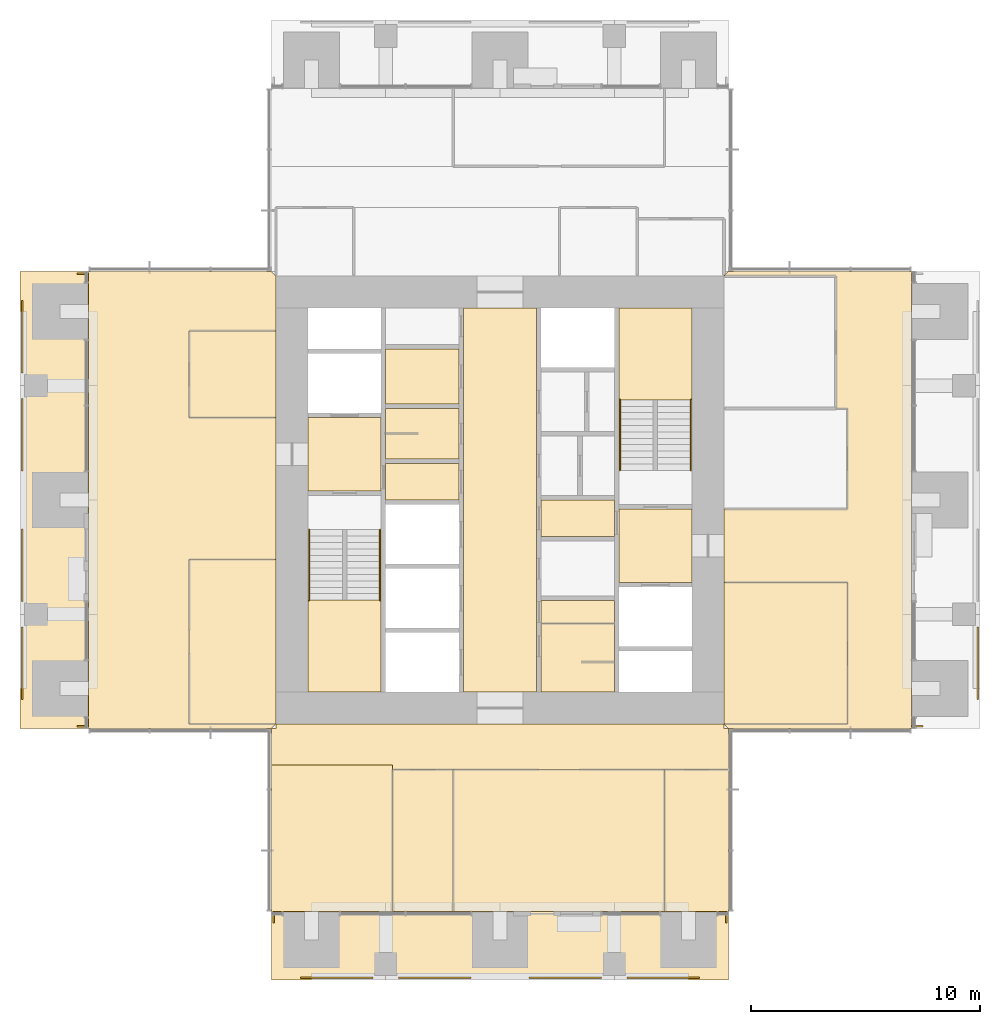
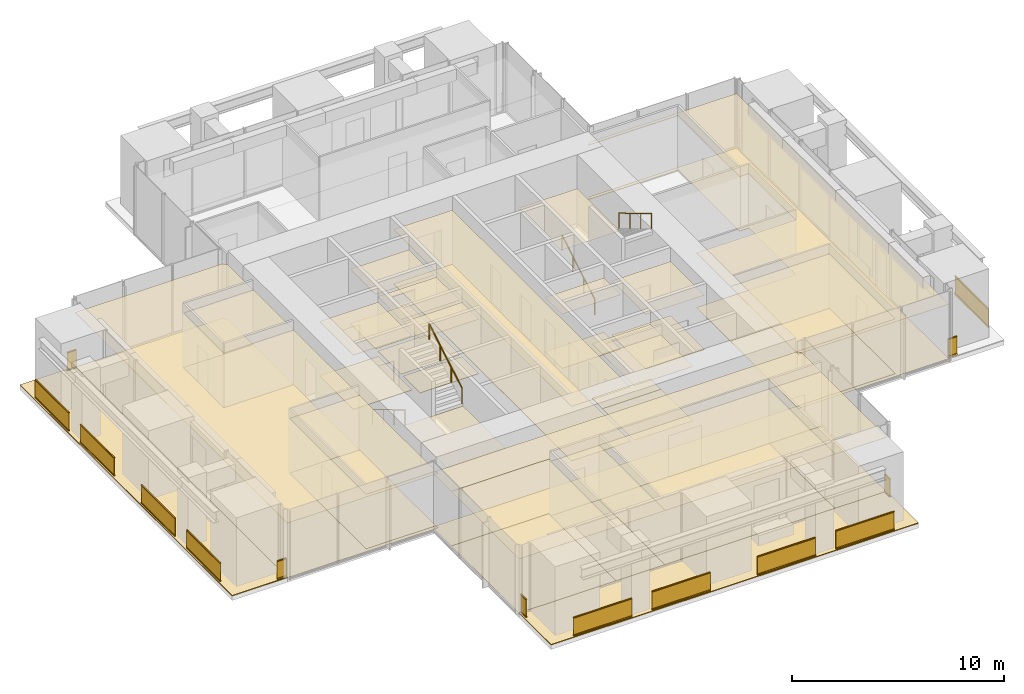
# One storey, part 15 of 17: 42 coverings, 18 railings.
"""IFC4 building model written with IfcOpenShell, lengths in metres."""

from ifc_helpers import new_model, si_unit, direction, frame, origin, origin_2d, place, context, subcontext, project, spatial, polyline, rectangle, circle, outline, extrude, material, layer, layer_set, type_object, element, save


model = new_model("IFC4")

# Units and contexts
model_context = context("Model", 3, precision=1e-05, world=origin(), true_north=direction((0.0, 1.0)))
body_context = subcontext(model_context, "Body", "Model", "MODEL_VIEW")
ifc_project = project(units=[si_unit("LENGTHUNIT", "METRE"), si_unit("AREAUNIT", "SQUARE_METRE"), si_unit("VOLUMEUNIT", "CUBIC_METRE"), si_unit("PLANEANGLEUNIT", "RADIAN"), si_unit("MASSUNIT", "GRAM", prefix="KILO")], contexts=[model_context])

# Site, building, storey
site_placement = place(None, origin())
site = spatial("IfcSite", under=ifc_project, at=site_placement, CompositionType="ELEMENT")
building_placement = place(site_placement, origin())
building = spatial("IfcBuilding", under=site, at=building_placement, Name="Svetlomir Tower", CompositionType="ELEMENT")
storey_placement = place(building_placement, frame((0.0, 0.0, 170.5)))
storey = spatial("IfcBuildingStorey", under=building, at=storey_placement, Name="L40", CompositionType="ELEMENT", Elevation=170.5)

# Railings
ifc_material_1 = material(Name="Bronze anodised aluminium and laminated glass", Category="aluminium")
railing_type_1 = type_object("IfcRailingType", Name="BALCONY GUARD GR1 1100", PredefinedType="GUARDRAIL", material=ifc_material_1)
for number, where, name in (
    (1, (12.27490234375, 0.10009765625, 0.0), "Loggia guard S L40 bay 1"),
    (2, (16.550048828125, 0.10009765625, 0.0), "Loggia guard S L40 bay 2"),
    (3, (22.27490234375, 0.10009765625, 0.0), "Loggia guard S L40 bay 3"),
    (4, (26.550048828125, 0.10009765625, 0.0), "Loggia guard S L40 bay 4"),
):
    element("IfcRailing", number, at=place(storey_placement, frame(where)), inside=storey, type_object=railing_type_1, Name=name, PredefinedType="GUARDRAIL", context=body_context, shape_type="SweptSolid", body=[
        extrude(rectangle(XDim=0.06005859375, YDim=0.10009765625, at=origin_2d()), frame((0.0, 0.0, 0.050048828125), z_axis=(1.0, 0.0, 0.0), x_axis=(0.0, 1.0, 0.0)), (0.0, 0.0, 1.0), 3.175048828125),
        extrude(rectangle(XDim=0.021484375, YDim=0.960205078125, at=origin_2d()), frame((0.0, 0.0, 0.580078125), z_axis=(1.0, 0.0, 0.0), x_axis=(0.0, 1.0, 0.0)), (0.0, 0.0, 1.0), 3.175048828125),
        extrude(rectangle(XDim=0.06005859375, YDim=0.0400390625, at=origin_2d()), frame((0.0, 0.0, 1.080078125), z_axis=(1.0, 0.0, 0.0), x_axis=(0.0, 1.0, 0.0)), (0.0, 0.0, 1.0), 3.175048828125),
    ])
for number, where, name in (
    (5, (11.10009765625, 2.5, 0.0), "Loggia guard S L40 end 1"),
    (6, (30.89990234375, 2.5, 0.0), "Loggia guard S L40 end 2"),
):
    element("IfcRailing", number, at=place(storey_placement, frame(where)), inside=storey, type_object=railing_type_1, Name=name, PredefinedType="GUARDRAIL", context=body_context, shape_type="SweptSolid", body=[
        extrude(rectangle(XDim=0.06005859375, YDim=0.10009765625, at=origin_2d()), frame((0.0, 0.0, 0.050048828125), z_axis=(0.0, 1.0, 0.0), x_axis=(-1.0, 0.0, 0.0)), (0.0, 0.0, 1.0), 0.5),
        extrude(rectangle(XDim=0.021484375, YDim=0.960205078125, at=origin_2d()), frame((0.0, 0.0, 0.580078125), z_axis=(0.0, 1.0, 0.0), x_axis=(-1.0, 0.0, 0.0)), (0.0, 0.0, 1.0), 0.5),
        extrude(rectangle(XDim=0.06005859375, YDim=0.0400390625, at=origin_2d()), frame((0.0, 0.0, 1.080078125), z_axis=(0.0, 1.0, 0.0), x_axis=(-1.0, 0.0, 0.0)), (0.0, 0.0, 1.0), 0.5),
    ])
railing_1_placement = place(storey_placement, frame((41.89990234375, 12.27490234375, 0.0)))
element("IfcRailing", 7, at=railing_1_placement, inside=storey, type_object=railing_type_1, Name="Loggia guard E L40 bay 1", PredefinedType="GUARDRAIL", context=body_context, shape_type="SweptSolid", body=[
    extrude(rectangle(XDim=0.06005859375, YDim=0.10009765625, at=origin_2d()), frame((0.0, 0.0, 0.050048828125), z_axis=(0.0, 1.0, 0.0), x_axis=(-1.0, 0.0, 0.0)), (0.0, 0.0, 1.0), 3.175048828125),
    extrude(rectangle(XDim=0.021484375, YDim=0.960205078125, at=origin_2d()), frame((0.0, 0.0, 0.580078125), z_axis=(0.0, 1.0, 0.0), x_axis=(-1.0, 0.0, 0.0)), (0.0, 0.0, 1.0), 3.175048828125),
    extrude(rectangle(XDim=0.06005859375, YDim=0.0400390625, at=origin_2d()), frame((0.0, 0.0, 1.080078125), z_axis=(0.0, 1.0, 0.0), x_axis=(-1.0, 0.0, 0.0)), (0.0, 0.0, 1.0), 3.175048828125),
])
railing_2_placement = place(storey_placement, frame((39.5, 11.10009765625, 0.0)))
element("IfcRailing", 8, at=railing_2_placement, inside=storey, type_object=railing_type_1, Name="Loggia guard E L40 end 1", PredefinedType="GUARDRAIL", context=body_context, shape_type="SweptSolid", body=[
    extrude(rectangle(XDim=0.06005859375, YDim=0.10009765625, at=origin_2d()), frame((0.0, 0.0, 0.050048828125), z_axis=(-1.0, 0.0, 0.0), x_axis=(0.0, -1.0, 0.0)), (0.0, 0.0, 1.0), 0.5),
    extrude(rectangle(XDim=0.021484375, YDim=0.960205078125, at=origin_2d()), frame((0.0, 0.0, 0.580078125), z_axis=(-1.0, 0.0, 0.0), x_axis=(0.0, -1.0, 0.0)), (0.0, 0.0, 1.0), 0.5),
    extrude(rectangle(XDim=0.06005859375, YDim=0.0400390625, at=origin_2d()), frame((0.0, 0.0, 1.080078125), z_axis=(-1.0, 0.0, 0.0), x_axis=(0.0, -1.0, 0.0)), (0.0, 0.0, 1.0), 0.5),
])
for number, where, name in (
    (9, (0.10009765625, 12.27490234375, 0.0), "Loggia guard W L40 bay 1"),
    (10, (0.10009765625, 16.550048828125, 0.0), "Loggia guard W L40 bay 2"),
    (11, (0.10009765625, 22.27490234375, 0.0), "Loggia guard W L40 bay 3"),
    (12, (0.10009765625, 26.550048828125, 0.0), "Loggia guard W L40 bay 4"),
):
    element("IfcRailing", number, at=place(storey_placement, frame(where)), inside=storey, type_object=railing_type_1, Name=name, PredefinedType="GUARDRAIL", context=body_context, shape_type="SweptSolid", body=[
        extrude(rectangle(XDim=0.06005859375, YDim=0.10009765625, at=origin_2d()), frame((0.0, 0.0, 0.050048828125), z_axis=(0.0, 1.0, 0.0), x_axis=(-1.0, 0.0, 0.0)), (0.0, 0.0, 1.0), 3.175048828125),
        extrude(rectangle(XDim=0.021484375, YDim=0.960205078125, at=origin_2d()), frame((0.0, 0.0, 0.580078125), z_axis=(0.0, 1.0, 0.0), x_axis=(-1.0, 0.0, 0.0)), (0.0, 0.0, 1.0), 3.175048828125),
        extrude(rectangle(XDim=0.06005859375, YDim=0.0400390625, at=origin_2d()), frame((0.0, 0.0, 1.080078125), z_axis=(0.0, 1.0, 0.0), x_axis=(-1.0, 0.0, 0.0)), (0.0, 0.0, 1.0), 3.175048828125),
    ])
for number, where, name in (
    (13, (2.5, 11.10009765625, 0.0), "Loggia guard W L40 end 1"),
    (14, (2.5, 30.89990234375, 0.0), "Loggia guard W L40 end 2"),
):
    element("IfcRailing", number, at=place(storey_placement, frame(where)), inside=storey, type_object=railing_type_1, Name=name, PredefinedType="GUARDRAIL", context=body_context, shape_type="SweptSolid", body=[
        extrude(rectangle(XDim=0.06005859375, YDim=0.10009765625, at=origin_2d()), frame((0.0, 0.0, 0.050048828125), z_axis=(1.0, 0.0, 0.0), x_axis=(0.0, 1.0, 0.0)), (0.0, 0.0, 1.0), 0.5),
        extrude(rectangle(XDim=0.021484375, YDim=0.960205078125, at=origin_2d()), frame((0.0, 0.0, 0.580078125), z_axis=(1.0, 0.0, 0.0), x_axis=(0.0, 1.0, 0.0)), (0.0, 0.0, 1.0), 0.5),
        extrude(rectangle(XDim=0.06005859375, YDim=0.0400390625, at=origin_2d()), frame((0.0, 0.0, 1.080078125), z_axis=(1.0, 0.0, 0.0), x_axis=(0.0, 1.0, 0.0)), (0.0, 0.0, 1.0), 0.5),
    ])

# Coverings
ifc_material_2 = material(Name="Granite paving slabs on pedestals", Category="masonry")
ifc_layer_1 = layer(ifc_material_2, 0.0400390625)
ifc_layer_set_1 = layer_set([ifc_layer_1], Name="Granite paving slabs on pedestals")
covering_type_1 = type_object("IfcCoveringType", Name="BALCONY PAVING 40", PredefinedType="USERDEFINED", material=ifc_layer_set_1)
covering_1_placement = place(storey_placement, origin())
element("IfcCovering", 15, at=covering_1_placement, inside=storey, type_object=covering_type_1, Name="Loggia paving S L40", ObjectType="BALCONY PAVING", PredefinedType="USERDEFINED", context=body_context, shape_type="SweptSolid", body=[
    extrude(outline(polyline([(11.0, 0.0), (31.0, 0.0), (31.0, 3.0), (11.0, 3.0), (11.0, 0.0)])), origin(), (0.0, 0.0, 1.0), 0.0400390625),
])
covering_2_placement = place(storey_placement, origin())
element("IfcCovering", 16, at=covering_2_placement, inside=storey, type_object=covering_type_1, Name="Loggia paving W L40", ObjectType="BALCONY PAVING", PredefinedType="USERDEFINED", context=body_context, shape_type="SweptSolid", body=[
    extrude(outline(polyline([(0.0, 11.0), (3.0, 11.0), (3.0, 31.0), (0.0, 31.0), (0.0, 11.0)])), origin(), (0.0, 0.0, 1.0), 0.0400390625),
])
ifc_material_3 = material(Name="Carpet tile", Category="textile")
ifc_layer_2 = layer(ifc_material_3, 0.010009765625)
ifc_layer_set_2 = layer_set([ifc_layer_2], Name="Carpet tile")
covering_type_2 = type_object("IfcCoveringType", Name="CARPET TILE FLOOR 10", PredefinedType="FLOORING", material=ifc_layer_set_2)
covering_3_placement = place(storey_placement, origin())
element("IfcCovering", 17, at=covering_3_placement, inside=storey, type_object=covering_type_2, Name="Floor finish L40-18", PredefinedType="FLOORING", context=body_context, shape_type="SweptSolid", body=[
    extrude(outline(polyline([(16.300048828125, 3.0), (18.949951171875, 3.0), (18.949951171875, 9.199951171875), (16.300048828125, 9.199951171875), (16.300048828125, 3.0)])), origin(), (0.0, 0.0, 1.0), 0.010009765625),
])
covering_4_placement = place(storey_placement, origin())
element("IfcCovering", 18, at=covering_4_placement, inside=storey, type_object=covering_type_2, Name="Floor finish L40-19", PredefinedType="FLOORING", context=body_context, shape_type="SweptSolid", body=[
    extrude(outline(polyline([(18.949951171875, 3.0), (28.199951171875, 3.0), (28.199951171875, 9.199951171875), (18.949951171875, 9.199951171875), (18.949951171875, 3.0)])), origin(), (0.0, 0.0, 1.0), 0.010009765625),
])
covering_5_placement = place(storey_placement, origin())
element("IfcCovering", 19, at=covering_5_placement, inside=storey, type_object=covering_type_2, Name="Floor finish L40-20", PredefinedType="FLOORING", context=body_context, shape_type="SweptSolid", body=[
    extrude(outline(polyline([(28.199951171875, 3.0), (31.0, 3.0), (31.0, 9.199951171875), (28.199951171875, 9.199951171875), (28.199951171875, 3.0)])), origin(), (0.0, 0.0, 1.0), 0.010009765625),
])
covering_6_placement = place(storey_placement, origin())
element("IfcCovering", 20, at=covering_6_placement, inside=storey, type_object=covering_type_2, Name="Floor finish L40-21", PredefinedType="FLOORING", context=body_context, shape_type="SweptSolid", body=[
    extrude(outline(polyline([(30.800048828125, 11.199951171875), (36.199951171875, 11.199951171875), (36.199951171875, 17.39990234375), (30.800048828125, 17.39990234375), (30.800048828125, 11.199951171875)])), origin(), (0.0, 0.0, 1.0), 0.010009765625),
])
covering_7_placement = place(storey_placement, origin())
element("IfcCovering", 21, at=covering_7_placement, inside=storey, type_object=covering_type_2, Name="Floor finish L40-28", PredefinedType="FLOORING", context=body_context, shape_type="SweptSolid", body=[
    extrude(outline(polyline([(7.39990234375, 11.199951171875), (11.199951171875, 11.199951171875), (11.199951171875, 18.39990234375), (7.39990234375, 18.39990234375), (7.39990234375, 11.199951171875)])), origin(), (0.0, 0.0, 1.0), 0.010009765625),
])
covering_8_placement = place(storey_placement, origin())
element("IfcCovering", 22, at=covering_8_placement, inside=storey, type_object=covering_type_2, Name="Floor finish L40-29", PredefinedType="FLOORING", context=body_context, shape_type="SweptSolid", body=[
    extrude(outline(polyline([(7.39990234375, 24.60009765625), (11.199951171875, 24.60009765625), (11.199951171875, 28.39990234375), (7.39990234375, 28.39990234375), (7.39990234375, 24.60009765625)])), origin(), (0.0, 0.0, 1.0), 0.010009765625),
])
covering_9_placement = place(storey_placement, origin())
element("IfcCovering", 23, at=covering_9_placement, inside=storey, type_object=covering_type_2, Name="Floor finish L40-30", PredefinedType="FLOORING", context=body_context, shape_type="SweptSolid", body=[
    extrude(outline(polyline([(16.300048828125, 9.199951171875), (16.300048828125, 9.39990234375), (11.0, 9.39990234375), (11.0, 11.0), (11.199951171875, 11.0), (11.199951171875, 11.199951171875), (30.800048828125, 11.199951171875), (30.800048828125, 11.0), (31.0, 11.0), (31.0, 9.199951171875), (16.300048828125, 9.199951171875)])), origin(), (0.0, 0.0, 1.0), 0.010009765625),
])
covering_10_placement = place(storey_placement, origin())
element("IfcCovering", 24, at=covering_10_placement, inside=storey, type_object=covering_type_2, Name="Floor finish L40-32", PredefinedType="FLOORING", context=body_context, shape_type="SweptSolid", body=[
    extrude(outline(polyline([(16.300048828125, 9.39990234375), (16.300048828125, 3.0), (11.0, 3.0), (11.0, 9.39990234375), (16.300048828125, 9.39990234375)])), origin(), (0.0, 0.0, 1.0), 0.010009765625),
])
covering_11_placement = place(storey_placement, origin())
element("IfcCovering", 25, at=covering_11_placement, inside=storey, type_object=covering_type_2, Name="Floor finish L40-33", PredefinedType="FLOORING", context=body_context, shape_type="SweptSolid", body=[
    extrude(outline(polyline([(30.800048828125, 30.800048828125), (31.0, 31.0), (39.0, 31.0), (39.0, 11.0), (31.0, 11.0), (30.800048828125, 11.199951171875), (36.199951171875, 11.199951171875), (36.199951171875, 17.39990234375), (30.800048828125, 17.39990234375), (30.800048828125, 20.60009765625), (36.199951171875, 20.60009765625), (36.199951171875, 25.0), (35.699951171875, 25.0), (35.699951171875, 30.800048828125), (30.800048828125, 30.800048828125)])), origin(), (0.0, 0.0, 1.0), 0.010009765625),
])
covering_12_placement = place(storey_placement, origin())
element("IfcCovering", 26, at=covering_12_placement, inside=storey, type_object=covering_type_2, Name="Floor finish L40-37", PredefinedType="FLOORING", context=body_context, shape_type="SweptSolid", body=[
    extrude(outline(polyline([(3.0, 31.0), (11.0, 31.0), (11.199951171875, 30.800048828125), (11.199951171875, 28.39990234375), (7.39990234375, 28.39990234375), (7.39990234375, 24.60009765625), (11.199951171875, 24.60009765625), (11.199951171875, 18.39990234375), (7.39990234375, 18.39990234375), (7.39990234375, 11.199951171875), (11.199951171875, 11.199951171875), (11.0, 11.0), (3.0, 11.0), (3.0, 31.0)])), origin(), (0.0, 0.0, 1.0), 0.010009765625),
])
ifc_material_4 = material(Name="Ceramic floor tile", Category="ceramic")
ifc_layer_3 = layer(ifc_material_4, 0.014892578125)
ifc_layer_set_3 = layer_set([ifc_layer_3], Name="Ceramic floor tile")
covering_type_3 = type_object("IfcCoveringType", Name="CERAMIC TILE FLOOR 15", PredefinedType="FLOORING", material=ifc_layer_set_3)
covering_13_placement = place(storey_placement, origin())
element("IfcCovering", 27, at=covering_13_placement, inside=storey, type_object=covering_type_3, Name="Floor finish L40-04", PredefinedType="FLOORING", context=body_context, shape_type="SweptSolid", body=[
    extrude(outline(polyline([(16.0, 22.800048828125), (19.199951171875, 22.800048828125), (19.199951171875, 25.0), (16.0, 25.0), (16.0, 22.800048828125)])), origin(), (0.0, 0.0, 1.0), 0.014892578125),
])
covering_14_placement = place(storey_placement, origin())
element("IfcCovering", 28, at=covering_14_placement, inside=storey, type_object=covering_type_3, Name="Floor finish L40-05", PredefinedType="FLOORING", context=body_context, shape_type="SweptSolid", body=[
    extrude(outline(polyline([(16.0, 25.199951171875), (19.199951171875, 25.199951171875), (19.199951171875, 27.60009765625), (16.0, 27.60009765625), (16.0, 25.199951171875)])), origin(), (0.0, 0.0, 1.0), 0.014892578125),
])
covering_15_placement = place(storey_placement, origin())
element("IfcCovering", 29, at=covering_15_placement, inside=storey, type_object=covering_type_3, Name="Floor finish L40-08", PredefinedType="FLOORING", context=body_context, shape_type="SweptSolid", body=[
    extrude(outline(polyline([(22.800048828125, 15.60009765625), (26.0, 15.60009765625), (26.0, 16.60009765625), (22.800048828125, 16.60009765625), (22.800048828125, 15.60009765625)])), origin(), (0.0, 0.0, 1.0), 0.014892578125),
])
covering_16_placement = place(storey_placement, origin())
element("IfcCovering", 30, at=covering_16_placement, inside=storey, type_object=covering_type_3, Name="Floor finish L40-09", PredefinedType="FLOORING", context=body_context, shape_type="SweptSolid", body=[
    extrude(outline(polyline([(22.800048828125, 12.60009765625), (26.0, 12.60009765625), (26.0, 15.60009765625), (22.800048828125, 15.60009765625), (22.800048828125, 12.60009765625)])), origin(), (0.0, 0.0, 1.0), 0.014892578125),
])

# Railings
ifc_material_5 = material(Name="Stainless steel", Category="steel")
railing_type_2 = type_object("IfcRailingType", Name="HANDRAIL HR1 900", PredefinedType="HANDRAIL", material=ifc_material_5)
railing_3_placement = place(storey_placement, frame((12.64990234375, 19.699951171875, 0.166748046875)))
element("IfcRailing", 31, at=railing_3_placement, inside=storey, type_object=railing_type_2, Name="Handrail S1 flight 1 L40", PredefinedType="HANDRAIL", context=body_context, shape_type="SweptSolid", body=[
    extrude(circle(Radius=0.02392578125, at=origin_2d()), frame((0.0, 0.0, 0.8759765625), z_axis=(0.0, -0.859290745958, 0.51148745235), x_axis=(1.0, 0.0, 0.0)), (0.0, 0.0, 1.0), 3.584228515625),
    extrude(circle(Radius=0.02099609375, at=origin_2d()), origin(), (0.0, 0.0, 1.0), 0.851806640625),
    extrude(circle(Radius=0.02099609375, at=origin_2d()), frame((0.0, -1.026611328125, 0.611083984375)), (0.0, 0.0, 1.0), 0.851806640625),
    extrude(circle(Radius=0.02099609375, at=origin_2d()), frame((0.0, -2.05322265625, 1.22216796875)), (0.0, 0.0, 1.0), 0.851806640625),
    extrude(circle(Radius=0.02099609375, at=origin_2d()), frame((0.0, -3.079833984375, 1.833251953125)), (0.0, 0.0, 1.0), 0.851806640625),
])
for number, where, name in (
    (32, (15.75, 16.6201171875, 2.166748046875), "Handrail S1 flight 2 L40"),
    (33, (26.25, 22.300048828125, 0.166748046875), "Handrail S2 flight 1 L40"),
):
    element("IfcRailing", number, at=place(storey_placement, frame(where)), inside=storey, type_object=railing_type_2, Name=name, PredefinedType="HANDRAIL", context=body_context, shape_type="SweptSolid", body=[
        extrude(circle(Radius=0.02392578125, at=origin_2d()), frame((0.0, 0.0, 0.8759765625), z_axis=(0.0, 0.859290745958, 0.51148745235), x_axis=(-1.0, 0.0, 0.0)), (0.0, 0.0, 1.0), 3.584228515625),
        extrude(circle(Radius=0.02099609375, at=origin_2d()), origin(), (0.0, 0.0, 1.0), 0.851806640625),
        extrude(circle(Radius=0.02099609375, at=origin_2d()), frame((0.0, 1.026611328125, 0.611083984375)), (0.0, 0.0, 1.0), 0.851806640625),
        extrude(circle(Radius=0.02099609375, at=origin_2d()), frame((0.0, 2.05322265625, 1.22216796875)), (0.0, 0.0, 1.0), 0.851806640625),
        extrude(circle(Radius=0.02099609375, at=origin_2d()), frame((0.0, 3.079833984375, 1.833251953125)), (0.0, 0.0, 1.0), 0.851806640625),
    ])
railing_4_placement = place(storey_placement, frame((29.35009765625, 25.3798828125, 2.166748046875)))
element("IfcRailing", 34, at=railing_4_placement, inside=storey, type_object=railing_type_2, Name="Handrail S2 flight 2 L40", PredefinedType="HANDRAIL", context=body_context, shape_type="SweptSolid", body=[
    extrude(circle(Radius=0.02392578125, at=origin_2d()), frame((0.0, 0.0, 0.8759765625), z_axis=(0.0, -0.859290745958, 0.51148745235), x_axis=(1.0, 0.0, 0.0)), (0.0, 0.0, 1.0), 3.584228515625),
    extrude(circle(Radius=0.02099609375, at=origin_2d()), origin(), (0.0, 0.0, 1.0), 0.851806640625),
    extrude(circle(Radius=0.02099609375, at=origin_2d()), frame((0.0, -1.026611328125, 0.611083984375)), (0.0, 0.0, 1.0), 0.851806640625),
    extrude(circle(Radius=0.02099609375, at=origin_2d()), frame((0.0, -2.05322265625, 1.22216796875)), (0.0, 0.0, 1.0), 0.851806640625),
    extrude(circle(Radius=0.02099609375, at=origin_2d()), frame((0.0, -3.079833984375, 1.833251953125)), (0.0, 0.0, 1.0), 0.851806640625),
])

# Coverings
ifc_material_6 = material(Name="Moisture resistant plasterboard ceiling", Category="gypsum")
ifc_layer_4 = layer(ifc_material_6, 0.012451171875)
ifc_layer_set_4 = layer_set([ifc_layer_4], Name="Moisture resistant plasterboard ceiling")
covering_type_4 = type_object("IfcCoveringType", Name="MOISTURE RESISTANT CEILING 12.5", PredefinedType="CEILING", material=ifc_layer_set_4)
covering_17_placement = place(storey_placement, frame((0.0, 0.0, 3.137451171875)))
element("IfcCovering", 35, at=covering_17_placement, inside=storey, type_object=covering_type_4, Name="Ceiling L40-04", PredefinedType="CEILING", context=body_context, shape_type="SweptSolid", body=[
    extrude(outline(polyline([(16.0, 22.800048828125), (19.199951171875, 22.800048828125), (19.199951171875, 25.0), (16.0, 25.0), (16.0, 22.800048828125)])), origin(), (0.0, 0.0, 1.0), 0.012451171875),
])
covering_18_placement = place(storey_placement, frame((0.0, 0.0, 3.137451171875)))
element("IfcCovering", 36, at=covering_18_placement, inside=storey, type_object=covering_type_4, Name="Ceiling L40-05", PredefinedType="CEILING", context=body_context, shape_type="SweptSolid", body=[
    extrude(outline(polyline([(16.0, 25.199951171875), (19.199951171875, 25.199951171875), (19.199951171875, 27.60009765625), (16.0, 27.60009765625), (16.0, 25.199951171875)])), origin(), (0.0, 0.0, 1.0), 0.012451171875),
])
covering_19_placement = place(storey_placement, frame((0.0, 0.0, 3.137451171875)))
element("IfcCovering", 37, at=covering_19_placement, inside=storey, type_object=covering_type_4, Name="Ceiling L40-08", PredefinedType="CEILING", context=body_context, shape_type="SweptSolid", body=[
    extrude(outline(polyline([(22.800048828125, 15.60009765625), (26.0, 15.60009765625), (26.0, 16.60009765625), (22.800048828125, 16.60009765625), (22.800048828125, 15.60009765625)])), origin(), (0.0, 0.0, 1.0), 0.012451171875),
])
covering_20_placement = place(storey_placement, frame((0.0, 0.0, 3.137451171875)))
element("IfcCovering", 38, at=covering_20_placement, inside=storey, type_object=covering_type_4, Name="Ceiling L40-09", PredefinedType="CEILING", context=body_context, shape_type="SweptSolid", body=[
    extrude(outline(polyline([(22.800048828125, 12.60009765625), (26.0, 12.60009765625), (26.0, 15.60009765625), (22.800048828125, 15.60009765625), (22.800048828125, 12.60009765625)])), origin(), (0.0, 0.0, 1.0), 0.012451171875),
])
ifc_material_7 = material(Name="Gypsum plasterboard ceiling", Category="gypsum")
ifc_layer_5 = layer(ifc_material_7, 0.014892578125)
ifc_layer_set_5 = layer_set([ifc_layer_5], Name="Gypsum plasterboard ceiling")
covering_type_5 = type_object("IfcCoveringType", Name="PLASTERBOARD CEILING 15", PredefinedType="CEILING", material=ifc_layer_set_5)
covering_21_placement = place(storey_placement, frame((0.0, 0.0, 3.135009765625)))
element("IfcCovering", 39, at=covering_21_placement, inside=storey, type_object=covering_type_5, Name="Ceiling L40-02", PredefinedType="CEILING", context=body_context, shape_type="SweptSolid", body=[
    extrude(outline(polyline([(12.60009765625, 21.39990234375), (15.800048828125, 21.39990234375), (15.800048828125, 24.60009765625), (12.60009765625, 24.60009765625), (12.60009765625, 21.39990234375)])), origin(), (0.0, 0.0, 1.0), 0.014892578125),
])
covering_22_placement = place(storey_placement, frame((0.0, 0.0, 3.135009765625)))
element("IfcCovering", 40, at=covering_22_placement, inside=storey, type_object=covering_type_5, Name="Ceiling L40-03", PredefinedType="CEILING", context=body_context, shape_type="SweptSolid", body=[
    extrude(outline(polyline([(16.0, 21.0), (19.199951171875, 21.0), (19.199951171875, 22.60009765625), (16.0, 22.60009765625), (16.0, 21.0)])), origin(), (0.0, 0.0, 1.0), 0.014892578125),
])
covering_23_placement = place(storey_placement, frame((0.0, 0.0, 3.135009765625)))
element("IfcCovering", 41, at=covering_23_placement, inside=storey, type_object=covering_type_5, Name="Ceiling L40-07", PredefinedType="CEILING", context=body_context, shape_type="SweptSolid", body=[
    extrude(outline(polyline([(19.39990234375, 12.60009765625), (22.60009765625, 12.60009765625), (22.60009765625, 29.39990234375), (19.39990234375, 29.39990234375), (19.39990234375, 12.60009765625)])), origin(), (0.0, 0.0, 1.0), 0.014892578125),
])
covering_24_placement = place(storey_placement, frame((0.0, 0.0, 3.135009765625)))
element("IfcCovering", 42, at=covering_24_placement, inside=storey, type_object=covering_type_5, Name="Ceiling L40-11", PredefinedType="CEILING", context=body_context, shape_type="SweptSolid", body=[
    extrude(outline(polyline([(22.800048828125, 19.39990234375), (26.0, 19.39990234375), (26.0, 21.0), (22.800048828125, 21.0), (22.800048828125, 19.39990234375)])), origin(), (0.0, 0.0, 1.0), 0.014892578125),
])
covering_25_placement = place(storey_placement, frame((0.0, 0.0, 3.135009765625)))
element("IfcCovering", 43, at=covering_25_placement, inside=storey, type_object=covering_type_5, Name="Ceiling L40-12", PredefinedType="CEILING", context=body_context, shape_type="SweptSolid", body=[
    extrude(outline(polyline([(26.199951171875, 17.39990234375), (29.39990234375, 17.39990234375), (29.39990234375, 20.60009765625), (26.199951171875, 20.60009765625), (26.199951171875, 17.39990234375)])), origin(), (0.0, 0.0, 1.0), 0.014892578125),
])
ifc_material_8 = material(Name="Studded rubber floor finish", Category="rubber")
ifc_layer_6 = layer(ifc_material_8, 0.006103515625)
ifc_layer_set_6 = layer_set([ifc_layer_6], Name="Studded rubber floor finish")
covering_type_6 = type_object("IfcCoveringType", Name="RUBBER LANDING FINISH 6", PredefinedType="FLOORING", material=ifc_layer_set_6)
covering_26_placement = place(storey_placement, frame((0.0, 0.0, 2.0)))
element("IfcCovering", 44, at=covering_26_placement, inside=storey, type_object=covering_type_6, Name="Stair S1 landing finish L40", PredefinedType="FLOORING", context=body_context, shape_type="SweptSolid", body=[
    extrude(outline(polyline([(12.60009765625, 12.60009765625), (15.800048828125, 12.60009765625), (15.800048828125, 16.6201171875), (12.60009765625, 16.6201171875), (12.60009765625, 12.60009765625)])), origin(), (0.0, 0.0, 1.0), 0.006103515625),
])
covering_27_placement = place(storey_placement, frame((0.0, 0.0, 2.0)))
element("IfcCovering", 45, at=covering_27_placement, inside=storey, type_object=covering_type_6, Name="Stair S2 landing finish L40", PredefinedType="FLOORING", context=body_context, shape_type="SweptSolid", body=[
    extrude(outline(polyline([(26.199951171875, 25.3798828125), (29.39990234375, 25.3798828125), (29.39990234375, 29.39990234375), (26.199951171875, 29.39990234375), (26.199951171875, 25.3798828125)])), origin(), (0.0, 0.0, 1.0), 0.006103515625),
])
ifc_material_9 = material(Name="Mineral fibre ceiling tile", Category="mineral")
ifc_layer_7 = layer(ifc_material_9, 0.02001953125)
ifc_layer_set_7 = layer_set([ifc_layer_7], Name="Mineral fibre ceiling tile")
covering_type_7 = type_object("IfcCoveringType", Name="SUSPENDED CEILING 20", PredefinedType="CEILING", material=ifc_layer_set_7)
covering_28_placement = place(storey_placement, frame((0.0, 0.0, 3.1298828125)))
element("IfcCovering", 46, at=covering_28_placement, inside=storey, type_object=covering_type_7, Name="Ceiling L40-18", PredefinedType="CEILING", context=body_context, shape_type="SweptSolid", body=[
    extrude(outline(polyline([(16.300048828125, 3.0), (18.949951171875, 3.0), (18.949951171875, 9.199951171875), (16.300048828125, 9.199951171875), (16.300048828125, 3.0)])), origin(), (0.0, 0.0, 1.0), 0.02001953125),
])
covering_29_placement = place(storey_placement, frame((0.0, 0.0, 3.1298828125)))
element("IfcCovering", 47, at=covering_29_placement, inside=storey, type_object=covering_type_7, Name="Ceiling L40-19", PredefinedType="CEILING", context=body_context, shape_type="SweptSolid", body=[
    extrude(outline(polyline([(18.949951171875, 3.0), (28.199951171875, 3.0), (28.199951171875, 9.199951171875), (18.949951171875, 9.199951171875), (18.949951171875, 3.0)])), origin(), (0.0, 0.0, 1.0), 0.02001953125),
])
covering_30_placement = place(storey_placement, frame((0.0, 0.0, 3.1298828125)))
element("IfcCovering", 48, at=covering_30_placement, inside=storey, type_object=covering_type_7, Name="Ceiling L40-20", PredefinedType="CEILING", context=body_context, shape_type="SweptSolid", body=[
    extrude(outline(polyline([(28.199951171875, 3.0), (31.0, 3.0), (31.0, 9.199951171875), (28.199951171875, 9.199951171875), (28.199951171875, 3.0)])), origin(), (0.0, 0.0, 1.0), 0.02001953125),
])
covering_31_placement = place(storey_placement, frame((0.0, 0.0, 3.1298828125)))
element("IfcCovering", 49, at=covering_31_placement, inside=storey, type_object=covering_type_7, Name="Ceiling L40-21", PredefinedType="CEILING", context=body_context, shape_type="SweptSolid", body=[
    extrude(outline(polyline([(30.800048828125, 11.199951171875), (36.199951171875, 11.199951171875), (36.199951171875, 17.39990234375), (30.800048828125, 17.39990234375), (30.800048828125, 11.199951171875)])), origin(), (0.0, 0.0, 1.0), 0.02001953125),
])
covering_32_placement = place(storey_placement, frame((0.0, 0.0, 3.1298828125)))
element("IfcCovering", 50, at=covering_32_placement, inside=storey, type_object=covering_type_7, Name="Ceiling L40-28", PredefinedType="CEILING", context=body_context, shape_type="SweptSolid", body=[
    extrude(outline(polyline([(7.39990234375, 11.199951171875), (11.199951171875, 11.199951171875), (11.199951171875, 18.39990234375), (7.39990234375, 18.39990234375), (7.39990234375, 11.199951171875)])), origin(), (0.0, 0.0, 1.0), 0.02001953125),
])
covering_33_placement = place(storey_placement, frame((0.0, 0.0, 3.1298828125)))
element("IfcCovering", 51, at=covering_33_placement, inside=storey, type_object=covering_type_7, Name="Ceiling L40-29", PredefinedType="CEILING", context=body_context, shape_type="SweptSolid", body=[
    extrude(outline(polyline([(7.39990234375, 24.60009765625), (11.199951171875, 24.60009765625), (11.199951171875, 28.39990234375), (7.39990234375, 28.39990234375), (7.39990234375, 24.60009765625)])), origin(), (0.0, 0.0, 1.0), 0.02001953125),
])
covering_34_placement = place(storey_placement, frame((0.0, 0.0, 3.1298828125)))
element("IfcCovering", 52, at=covering_34_placement, inside=storey, type_object=covering_type_7, Name="Ceiling L40-30", PredefinedType="CEILING", context=body_context, shape_type="SweptSolid", body=[
    extrude(outline(polyline([(16.300048828125, 9.199951171875), (16.300048828125, 9.39990234375), (11.0, 9.39990234375), (11.0, 11.0), (11.199951171875, 11.0), (11.199951171875, 11.199951171875), (30.800048828125, 11.199951171875), (30.800048828125, 11.0), (31.0, 11.0), (31.0, 9.199951171875), (16.300048828125, 9.199951171875)])), origin(), (0.0, 0.0, 1.0), 0.02001953125),
])
covering_35_placement = place(storey_placement, frame((0.0, 0.0, 3.1298828125)))
element("IfcCovering", 53, at=covering_35_placement, inside=storey, type_object=covering_type_7, Name="Ceiling L40-32", PredefinedType="CEILING", context=body_context, shape_type="SweptSolid", body=[
    extrude(outline(polyline([(16.300048828125, 9.39990234375), (16.300048828125, 3.0), (11.0, 3.0), (11.0, 9.39990234375), (16.300048828125, 9.39990234375)])), origin(), (0.0, 0.0, 1.0), 0.02001953125),
])
covering_36_placement = place(storey_placement, frame((0.0, 0.0, 3.1298828125)))
element("IfcCovering", 54, at=covering_36_placement, inside=storey, type_object=covering_type_7, Name="Ceiling L40-33", PredefinedType="CEILING", context=body_context, shape_type="SweptSolid", body=[
    extrude(outline(polyline([(30.800048828125, 30.800048828125), (31.0, 31.0), (39.0, 31.0), (39.0, 11.0), (31.0, 11.0), (30.800048828125, 11.199951171875), (36.199951171875, 11.199951171875), (36.199951171875, 17.39990234375), (30.800048828125, 17.39990234375), (30.800048828125, 20.60009765625), (36.199951171875, 20.60009765625), (36.199951171875, 25.0), (35.699951171875, 25.0), (35.699951171875, 30.800048828125), (30.800048828125, 30.800048828125)])), origin(), (0.0, 0.0, 1.0), 0.02001953125),
])
covering_37_placement = place(storey_placement, frame((0.0, 0.0, 3.1298828125)))
element("IfcCovering", 55, at=covering_37_placement, inside=storey, type_object=covering_type_7, Name="Ceiling L40-37", PredefinedType="CEILING", context=body_context, shape_type="SweptSolid", body=[
    extrude(outline(polyline([(3.0, 31.0), (11.0, 31.0), (11.199951171875, 30.800048828125), (11.199951171875, 28.39990234375), (7.39990234375, 28.39990234375), (7.39990234375, 24.60009765625), (11.199951171875, 24.60009765625), (11.199951171875, 18.39990234375), (7.39990234375, 18.39990234375), (7.39990234375, 11.199951171875), (11.199951171875, 11.199951171875), (11.0, 11.0), (3.0, 11.0), (3.0, 31.0)])), origin(), (0.0, 0.0, 1.0), 0.02001953125),
])
ifc_material_10 = material(Name="Bronze-aggregate terrazzo", Category="stone")
ifc_layer_8 = layer(ifc_material_10, 0.030029296875)
ifc_layer_set_8 = layer_set([ifc_layer_8], Name="Bronze-aggregate terrazzo")
covering_type_8 = type_object("IfcCoveringType", Name="TERRAZZO FLOOR 30", PredefinedType="FLOORING", material=ifc_layer_set_8)
covering_38_placement = place(storey_placement, origin())
element("IfcCovering", 56, at=covering_38_placement, inside=storey, type_object=covering_type_8, Name="Floor finish L40-02", PredefinedType="FLOORING", context=body_context, shape_type="SweptSolid", body=[
    extrude(outline(polyline([(12.60009765625, 21.39990234375), (15.800048828125, 21.39990234375), (15.800048828125, 24.60009765625), (12.60009765625, 24.60009765625), (12.60009765625, 21.39990234375)])), origin(), (0.0, 0.0, 1.0), 0.030029296875),
])
covering_39_placement = place(storey_placement, origin())
element("IfcCovering", 57, at=covering_39_placement, inside=storey, type_object=covering_type_8, Name="Floor finish L40-03", PredefinedType="FLOORING", context=body_context, shape_type="SweptSolid", body=[
    extrude(outline(polyline([(16.0, 21.0), (19.199951171875, 21.0), (19.199951171875, 22.60009765625), (16.0, 22.60009765625), (16.0, 21.0)])), origin(), (0.0, 0.0, 1.0), 0.030029296875),
])
covering_40_placement = place(storey_placement, origin())
element("IfcCovering", 58, at=covering_40_placement, inside=storey, type_object=covering_type_8, Name="Floor finish L40-07", PredefinedType="FLOORING", context=body_context, shape_type="SweptSolid", body=[
    extrude(outline(polyline([(19.39990234375, 12.60009765625), (22.60009765625, 12.60009765625), (22.60009765625, 29.39990234375), (19.39990234375, 29.39990234375), (19.39990234375, 12.60009765625)])), origin(), (0.0, 0.0, 1.0), 0.030029296875),
])
covering_41_placement = place(storey_placement, origin())
element("IfcCovering", 59, at=covering_41_placement, inside=storey, type_object=covering_type_8, Name="Floor finish L40-11", PredefinedType="FLOORING", context=body_context, shape_type="SweptSolid", body=[
    extrude(outline(polyline([(22.800048828125, 19.39990234375), (26.0, 19.39990234375), (26.0, 21.0), (22.800048828125, 21.0), (22.800048828125, 19.39990234375)])), origin(), (0.0, 0.0, 1.0), 0.030029296875),
])
covering_42_placement = place(storey_placement, origin())
element("IfcCovering", 60, at=covering_42_placement, inside=storey, type_object=covering_type_8, Name="Floor finish L40-12", PredefinedType="FLOORING", context=body_context, shape_type="SweptSolid", body=[
    extrude(outline(polyline([(26.199951171875, 17.39990234375), (29.39990234375, 17.39990234375), (29.39990234375, 20.60009765625), (26.199951171875, 20.60009765625), (26.199951171875, 17.39990234375)])), origin(), (0.0, 0.0, 1.0), 0.030029296875),
])

save(model, "model.ifc")
